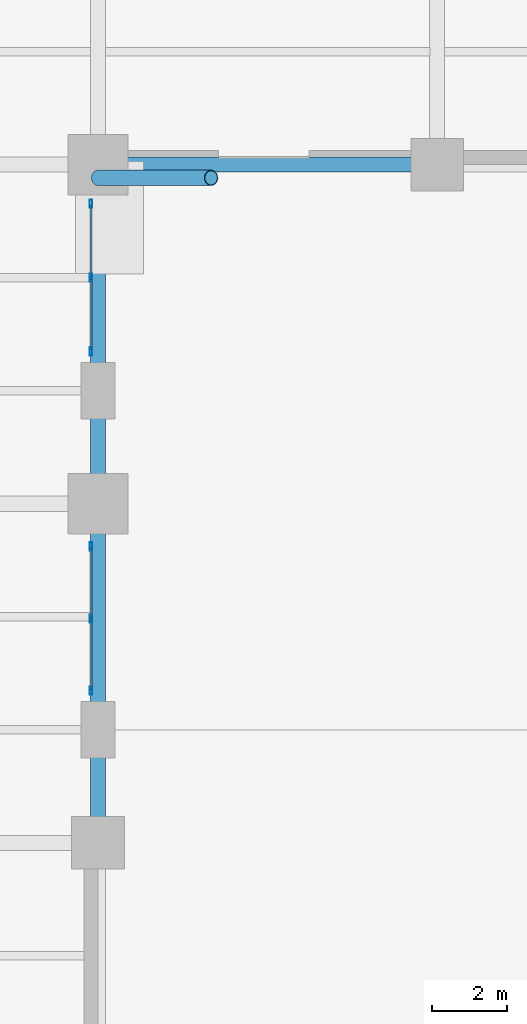
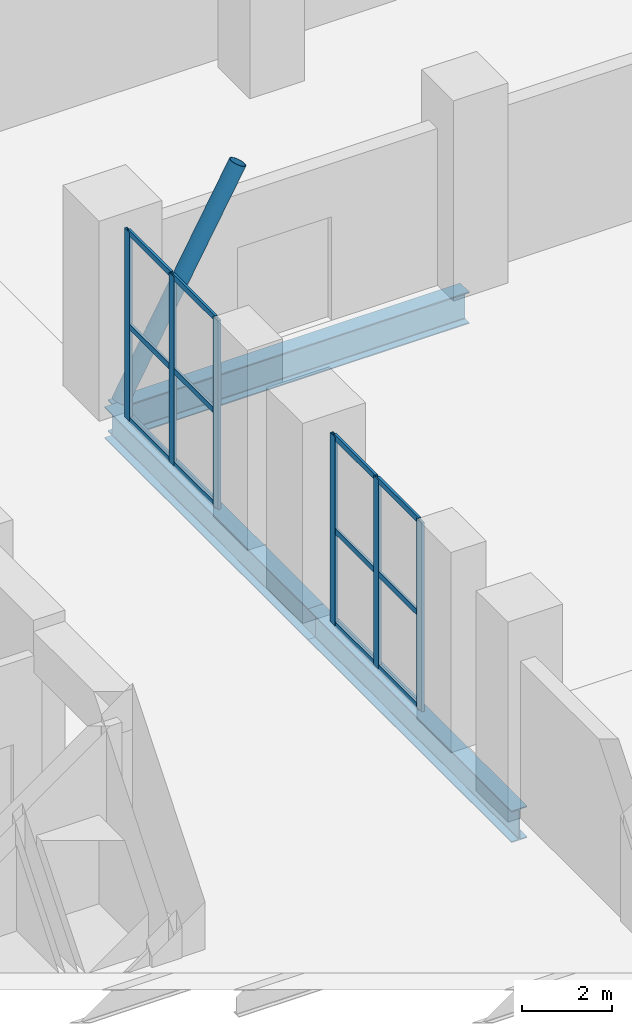
# One storey, part 2 of 17: 19 members, 3 beams, 2 elements without a shape of their own.
"""IFC4 building model written with IfcOpenShell, lengths in metres."""

import ifcopenshell
import ifcopenshell.guid

model = None  # the IFC model being written
_history = None  # IfcOwnerHistory: only IFC2X3 demands one
_inside = {}  # id of a spatial element -> (the spatial element, [elements in it])
_under = {}  # id of a project, library or spatial element -> (it, [spatial elements below it])
_declared = {}  # id of a project -> (the project, [libraries it declares])
_typed = {}  # id of a type object -> (the type object, [elements of that type])
_made_of = {}  # id of a material, layer set ... -> (it, [elements and type objects made of it])


def new_model(schema):
    """Start an empty IFC model of exactly this schema.

    Asked for "IFC4X3", IfcOpenShell would pick the latest addendum, in which some entities
    have other attributes; the version numbers below select the first issue.
    IFC2X3 requires an IfcOwnerHistory on every rooted entity: one is made here for all.
    """
    global model, _history
    if schema == "IFC4X3":
        model = ifcopenshell.file(schema_version=(4, 3, 0, 0))
    else:
        model = ifcopenshell.file(schema=schema)
    _inside.clear()
    _under.clear()
    _declared.clear()
    _typed.clear()
    _made_of.clear()
    _history = None
    if model.schema == "IFC2X3":
        org = make("IfcOrganization", Name="unknown")
        user = make(
            "IfcPersonAndOrganization",
            ThePerson=make("IfcPerson", FamilyName="unknown"),
            TheOrganization=org,
        )
        app = make(
            "IfcApplication",
            ApplicationDeveloper=org,
            Version="unknown",
            ApplicationFullName="unknown",
            ApplicationIdentifier="unknown",
        )
        _history = make(
            "IfcOwnerHistory",
            OwningUser=user,
            OwningApplication=app,
            ChangeAction="ADDED",
            CreationDate=0,
        )
    return model


def make(cls, **values):
    """One entity of the class cls with the attributes given. An attribute that is None is left unset."""
    return model.create_entity(
        cls, **{name: value for name, value in values.items() if value is not None}
    )


def rooted(cls, **values):
    """An entity with a GlobalId (a new one), such as an element, a storey or a relation."""
    return make(cls, GlobalId=ifcopenshell.guid.new(), OwnerHistory=_history, **values)


def si_unit(unit_type, name, prefix=None):
    """IfcSIUnit, for example si_unit("LENGTHUNIT", "METRE", prefix="MILLI")."""
    return make("IfcSIUnit", UnitType=unit_type, Prefix=prefix, Name=name)


def assignment(units):
    """IfcUnitAssignment: the units of a project."""
    return None if units is None else make("IfcUnitAssignment", Units=units)


def point(xyz):
    """IfcCartesianPoint."""
    return None if xyz is None else make("IfcCartesianPoint", Coordinates=xyz)


def direction(xyz):
    """IfcDirection."""
    return None if xyz is None else make("IfcDirection", DirectionRatios=xyz)


def frame(location, z_axis=None, x_axis=None):
    """IfcAxis2Placement3D, a coordinate frame: its origin and axes. An axis left out is left unset."""
    return make(
        "IfcAxis2Placement3D",
        Location=point(location),
        Axis=direction(z_axis),
        RefDirection=direction(x_axis),
    )


def frame_2d(location, x_axis=None):
    """IfcAxis2Placement2D, a coordinate frame in the plane: its origin and x axis."""
    return make(
        "IfcAxis2Placement2D", Location=point(location), RefDirection=direction(x_axis)
    )


def origin():
    """The frame at (0, 0, 0) with its axes left unset."""
    return frame((0.0, 0.0, 0.0))


def origin_2d():
    """The frame at (0, 0) in the plane with its x axis left unset."""
    return frame_2d((0.0, 0.0))


def place(relative_to, where):
    """IfcLocalPlacement: puts the frame where relative to a parent placement (None: the world)."""
    return make(
        "IfcLocalPlacement", PlacementRelTo=relative_to, RelativePlacement=where
    )


def context(
    kind, dimensions, precision=None, world=None, true_north=None, identifier=None
):
    """IfcGeometricRepresentationContext, for example the 3D "Model" context."""
    return make(
        "IfcGeometricRepresentationContext",
        ContextIdentifier=identifier,
        ContextType=kind,
        CoordinateSpaceDimension=dimensions,
        Precision=precision,
        WorldCoordinateSystem=world,
        TrueNorth=true_north,
    )


def subcontext(parent, identifier, kind, view, scale=None):
    """IfcGeometricRepresentationSubContext, for example "Body" below "Model"."""
    return make(
        "IfcGeometricRepresentationSubContext",
        ContextIdentifier=identifier,
        ContextType=kind,
        ParentContext=parent,
        TargetScale=scale,
        TargetView=view,
    )


def project(units=None, contexts=None):
    """IfcProject with its units and contexts."""
    return rooted(
        "IfcProject",
        Name="project",
        RepresentationContexts=contexts,
        UnitsInContext=assignment(units),
    )


def spatial(cls, under=None, at=None, **own):
    """A site, building, storey or space (cls), placed at a placement, below another one or the project."""
    s = rooted(cls, ObjectPlacement=at, **own)
    if under is not None:
        _under.setdefault(under.id(), (under, []))[1].append(s)
    return s


def profile(cls, at=None, kind="AREA", **sizes):
    """A parametric profile (cls). Its sizes go by their IFC names, for example OverallWidth=200.0."""
    return make(cls, ProfileType=kind, Position=at, **sizes)


def hollow_rectangle(**sizes):
    """IfcRectangleHollowProfileDef."""
    return profile("IfcRectangleHollowProfileDef", **sizes)


def hollow_circle(**sizes):
    """IfcCircleHollowProfileDef."""
    return profile("IfcCircleHollowProfileDef", **sizes)


def i_section(**sizes):
    """IfcIShapeProfileDef."""
    return profile("IfcIShapeProfileDef", **sizes)


def extrude(swept, where, along, depth):
    """IfcExtrudedAreaSolid: the profile swept, set in the frame where, extruded along a direction by depth."""
    return make(
        "IfcExtrudedAreaSolid",
        SweptArea=swept,
        Position=where,
        ExtrudedDirection=direction(along),
        Depth=depth,
    )


def shape(context_of_items, identifier, shape_type, items):
    """IfcShapeRepresentation: the items that make up one representation, for example the "Body"."""
    return make(
        "IfcShapeRepresentation",
        ContextOfItems=context_of_items,
        RepresentationIdentifier=identifier,
        RepresentationType=shape_type,
        Items=items,
    )


def material(Name=None, Category=None):
    """IfcMaterial."""
    return make("IfcMaterial", Name=Name, Category=Category)


def layer(
    of_material, thickness, ventilated=None, Name=None, Category=None, Priority=None
):
    """IfcMaterialLayer: one layer of a wall or slab, of a material (None: an air gap)."""
    return make(
        "IfcMaterialLayer",
        Material=of_material,
        LayerThickness=thickness,
        IsVentilated=ventilated,
        Name=Name,
        Category=Category,
        Priority=Priority,
    )


def layer_set(layers, Name=None):
    """IfcMaterialLayerSet."""
    return make("IfcMaterialLayerSet", MaterialLayers=layers, LayerSetName=Name)


def material_profile(
    of_material, cross_section, Name=None, Category=None, Priority=None
):
    """IfcMaterialProfile: a cross section and its material."""
    return make(
        "IfcMaterialProfile",
        Name=Name,
        Material=of_material,
        Profile=cross_section,
        Priority=Priority,
        Category=Category,
    )


def profile_set(profiles, Name=None, composite=None):
    """IfcMaterialProfileSet."""
    return make(
        "IfcMaterialProfileSet",
        Name=Name,
        MaterialProfiles=profiles,
        CompositeProfile=composite,
    )


def made_of(thing, what):
    """Note that an element or type object is made of a material, layer set ...; save() writes the relation."""
    if what is not None:
        _made_of.setdefault(what.id(), (what, []))[1].append(thing)
    return thing


def type_object(cls, material=None, **own):
    """A type object (cls), such as IfcWallType, which elements share."""
    return made_of(rooted(cls, **own), material)


def element(
    cls,
    number,
    at=None,
    inside=None,
    cuts=None,
    type_object=None,
    material=None,
    context=None,
    identifier="Body",
    shape_type=None,
    held_by="IfcProductDefinitionShape",
    body=None,
    shapes=None,
    **own,
):
    """One element of the class cls, such as IfcWall. Its Tag is "e" and its number.

    at: its placement. inside: the storey or other place that contains it. cuts: it is an
    opening in that element (IfcRelVoidsElement). A single representation is given by context,
    identifier, shape_type and body (its items); several are given by shapes. held_by: the class
    of the entity that holds the representations. save() writes the other relations.
    """
    e = rooted(cls, Tag="e%d" % number, ObjectPlacement=at, **own)
    if body is not None:
        shapes = [shape(context, identifier, shape_type, body)]
    if shapes is not None:
        e.Representation = make(held_by, Representations=shapes)
    if inside is not None:
        _inside.setdefault(inside.id(), (inside, []))[1].append(e)
    if cuts is not None:
        rooted(
            "IfcRelVoidsElement", RelatingBuildingElement=cuts, RelatedOpeningElement=e
        )
    if type_object is not None:
        _typed.setdefault(type_object.id(), (type_object, []))[1].append(e)
    return made_of(e, material)


def aggregate(whole, parts):
    """IfcRelAggregates: a whole, such as a stair, and the parts it consists of."""
    return rooted("IfcRelAggregates", RelatingObject=whole, RelatedObjects=parts)


def save(model, path):
    """Write the relations noted so far, then the file.

    IfcRelAggregates (storeys below a building ...), IfcRelContainedInSpatialStructure (elements
    in a storey), IfcRelDefinesByType, IfcRelAssociatesMaterial and IfcRelDeclares: one each for
    every whole, place, type object, material and project.
    """
    for whole, parts in _under.values():
        aggregate(whole, parts)
    for where, things in _inside.values():
        rooted(
            "IfcRelContainedInSpatialStructure",
            RelatedElements=things,
            RelatingStructure=where,
        )
    for kind, things in _typed.values():
        rooted("IfcRelDefinesByType", RelatedObjects=things, RelatingType=kind)
    for what, things in _made_of.values():
        rooted("IfcRelAssociatesMaterial", RelatedObjects=things, RelatingMaterial=what)
    for by, libraries in _declared.values():
        rooted("IfcRelDeclares", RelatingContext=by, RelatedDefinitions=libraries)
    model.write(path)


model = new_model("IFC4")

# Units and contexts
model_context = context("Model", 3, precision=1e-05, world=origin(), true_north=direction((0.0, 1.0)))
body_context = subcontext(model_context, "Body", "Model", "MODEL_VIEW")
ifc_project = project(units=[si_unit("LENGTHUNIT", "METRE"), si_unit("AREAUNIT", "SQUARE_METRE"), si_unit("VOLUMEUNIT", "CUBIC_METRE"), si_unit("PLANEANGLEUNIT", "RADIAN"), si_unit("MASSUNIT", "GRAM", prefix="KILO")], contexts=[model_context])

# Site, building, storey
site_placement = place(None, origin())
site = spatial("IfcSite", under=ifc_project, at=site_placement, CompositionType="ELEMENT")
building_placement = place(site_placement, origin())
building = spatial("IfcBuilding", under=site, at=building_placement, Name="Mawjdan Bourse Tower", CompositionType="ELEMENT")
storey_placement = place(building_placement, origin())
storey = spatial("IfcBuildingStorey", under=building, at=storey_placement, Name="L00", CompositionType="ELEMENT", Elevation=0.0)

# Member
ifc_material_1 = material(Name="Structural Steel S460", Category="steel")
ifc_material_profile_1 = material_profile(ifc_material_1, hollow_circle(Radius=0.203125, WallThickness=0.01611328125, at=origin_2d()), Name="CHS406X16")
ifc_profile_set_1 = profile_set([ifc_material_profile_1], Name="Structural Steel S460")
member_type_1 = type_object("IfcMemberType", Name="ARC-CHS406X16", PredefinedType="USERDEFINED", material=ifc_profile_set_1)
member_1_placement = place(storey_placement, frame((33.0, 29.64990234375, 0.0), z_axis=(0.485649642493, 0.0, 0.87415354758), x_axis=(0.0, 1.0, 0.0)))
element("IfcMember", 1, at=member_1_placement, inside=storey, type_object=member_type_1, Name="L00 Giant Arch Structural Rib NORTH 1", ObjectType="ARCH RIB", PredefinedType="USERDEFINED", context=body_context, shape_type="SweptSolid", body=[
    extrude(hollow_circle(Radius=0.203125, WallThickness=0.01611328125, at=origin_2d()), origin(), (0.0, 0.0, 1.0), 6.17724609375),
])

# Beams
ifc_material_2 = material(Name="Structural Steel S355", Category="steel")
ifc_material_profile_2 = material_profile(ifc_material_2, i_section(OverallWidth=0.39892578125, OverallDepth=0.85595703125, WebThickness=0.018310546875, FlangeThickness=0.029296875, FilletRadius=0.0234375, at=origin_2d()), Name="W33X201")
ifc_profile_set_2 = profile_set([ifc_material_profile_2], Name="Structural Steel S355")
beam_type = type_object("IfcBeamType", Name="GRD-W33X201", PredefinedType="BEAM", material=ifc_profile_set_2)
for number, where, z_axis, x_axis, name in (
    (2, (33.0, 12.0, -0.72802734375), (0.0, 1.0, 0.0), (-1.0, 0.0, 0.0), "L00 Podium Primary Girder 023"),
    (3, (33.0, 21.0, -0.72802734375), (0.0, 1.0, 0.0), (-1.0, 0.0, 0.0), "L00 Podium Primary Girder 024"),
    (4, (33.0, 30.0, -0.72802734375), (1.0, 0.0, 0.0), (0.0, 1.0, 0.0), "L00 Podium Tie Girder 060"),
):
    element("IfcBeam", number, at=place(storey_placement, frame(where, z_axis=z_axis, x_axis=x_axis)), inside=storey, type_object=beam_type, Name=name, PredefinedType="BEAM", context=body_context, shape_type="SweptSolid", body=[
        extrude(i_section(OverallWidth=0.39892578125, OverallDepth=0.85595703125, WebThickness=0.018310546875, FlangeThickness=0.029296875, FilletRadius=0.0234375, at=origin_2d()), origin(), (0.0, 0.0, 1.0), 9.0),
    ])

# Curtain wall, members
ifc_material_3 = material(Name="Thermally Broken Aluminium and Solar Glass", Category="aluminium")
ifc_layer = layer(ifc_material_3, 0.219970703125)
ifc_layer_set = layer_set([ifc_layer], Name="Thermally Broken Aluminium and Solar Glass")
curtain_wall_type = type_object("IfcCurtainWallType", Name="CW-ARCH", PredefinedType="USERDEFINED", material=ifc_layer_set)
curtain_wall_1_placement = place(storey_placement, origin())
curtain_wall_1 = element("IfcCurtainWall", 5, at=curtain_wall_1_placement, inside=storey, type_object=curtain_wall_type, Name="L00 Giant Arch West Glazed Wall South", ObjectType="ARCHWAY GLAZED CURTAIN WALL", PredefinedType="USERDEFINED")
ifc_material_4 = material(Name="Thermally Broken Anodised Aluminium", Category="aluminium")
ifc_material_profile_3 = material_profile(ifc_material_4, hollow_rectangle(XDim=0.074951171875, YDim=0.219970703125, WallThickness=0.0048828125, at=origin_2d()), Name="ALU-MUL-220X75")
ifc_profile_set_3 = profile_set([ifc_material_profile_3], Name="Thermally Broken Anodised Aluminium")
member_type_2 = type_object("IfcMemberType", Name="MUL-ALU-MUL-220X75", PredefinedType="MULLION", material=ifc_profile_set_3)
member_2_placement = place(storey_placement, frame((32.81005859375, 19.862548828125, 0.0), z_axis=(0.0, 0.0, 1.0), x_axis=(1.0, 0.0, 0.0)))
member_2 = element("IfcMember", 6, at=member_2_placement, type_object=member_type_2, Name="CW-ARCH-L00-ARCH-W1 mullion 1", PredefinedType="MULLION", context=body_context, shape_type="SweptSolid", body=[
    extrude(hollow_rectangle(XDim=0.074951171875, YDim=0.219970703125, WallThickness=0.0048828125, at=origin_2d()), origin(), (0.0, 0.0, 1.0), 5.10009765625),
])
member_3_placement = place(storey_placement, frame((32.81005859375, 17.949951171875, 0.0), z_axis=(0.0, 0.0, 1.0), x_axis=(1.0, 0.0, 0.0)))
member_3 = element("IfcMember", 7, at=member_3_placement, type_object=member_type_2, Name="CW-ARCH-L00-ARCH-W1 mullion 2", PredefinedType="MULLION", context=body_context, shape_type="SweptSolid", body=[
    extrude(hollow_rectangle(XDim=0.074951171875, YDim=0.219970703125, WallThickness=0.0048828125, at=origin_2d()), origin(), (0.0, 0.0, 1.0), 5.10009765625),
])
member_4_placement = place(storey_placement, frame((32.81005859375, 16.03759765625, 0.0), z_axis=(0.0, 0.0, 1.0), x_axis=(1.0, 0.0, 0.0)))
member_4 = element("IfcMember", 8, at=member_4_placement, type_object=member_type_2, Name="CW-ARCH-L00-ARCH-W1 mullion 3", PredefinedType="MULLION", context=body_context, shape_type="SweptSolid", body=[
    extrude(hollow_rectangle(XDim=0.074951171875, YDim=0.219970703125, WallThickness=0.0048828125, at=origin_2d()), origin(), (0.0, 0.0, 1.0), 5.10009765625),
])

curtain_wall_2_placement = place(storey_placement, origin())
curtain_wall_2 = element("IfcCurtainWall", 9, at=curtain_wall_2_placement, inside=storey, type_object=curtain_wall_type, Name="L00 Giant Arch West Glazed Wall North", ObjectType="ARCHWAY GLAZED CURTAIN WALL", PredefinedType="USERDEFINED")
member_5_placement = place(storey_placement, frame((32.81005859375, 28.96240234375, 0.0), z_axis=(0.0, 0.0, 1.0), x_axis=(1.0, 0.0, 0.0)))
member_5 = element("IfcMember", 10, at=member_5_placement, type_object=member_type_2, Name="CW-ARCH-L00-ARCH-W2 mullion 1", PredefinedType="MULLION", context=body_context, shape_type="SweptSolid", body=[
    extrude(hollow_rectangle(XDim=0.074951171875, YDim=0.219970703125, WallThickness=0.0048828125, at=origin_2d()), origin(), (0.0, 0.0, 1.0), 5.10009765625),
])
member_6_placement = place(storey_placement, frame((32.81005859375, 27.0, 0.0), z_axis=(0.0, 0.0, 1.0), x_axis=(1.0, 0.0, 0.0)))
member_6 = element("IfcMember", 11, at=member_6_placement, type_object=member_type_2, Name="CW-ARCH-L00-ARCH-W2 mullion 2", PredefinedType="MULLION", context=body_context, shape_type="SweptSolid", body=[
    extrude(hollow_rectangle(XDim=0.074951171875, YDim=0.219970703125, WallThickness=0.0048828125, at=origin_2d()), origin(), (0.0, 0.0, 1.0), 5.10009765625),
])
member_7_placement = place(storey_placement, frame((32.81005859375, 25.03759765625, 0.0), z_axis=(0.0, 0.0, 1.0), x_axis=(1.0, 0.0, 0.0)))
member_7 = element("IfcMember", 12, at=member_7_placement, type_object=member_type_2, Name="CW-ARCH-L00-ARCH-W2 mullion 3", PredefinedType="MULLION", context=body_context, shape_type="SweptSolid", body=[
    extrude(hollow_rectangle(XDim=0.074951171875, YDim=0.219970703125, WallThickness=0.0048828125, at=origin_2d()), origin(), (0.0, 0.0, 1.0), 5.10009765625),
])

# Member
ifc_material_profile_4 = material_profile(ifc_material_4, hollow_rectangle(XDim=0.06005859375, YDim=0.155029296875, WallThickness=0.00390625, at=origin_2d()), Name="ALU-TRN-155X60")
ifc_profile_set_4 = profile_set([ifc_material_profile_4], Name="Thermally Broken Anodised Aluminium")
member_type_3 = type_object("IfcMemberType", Name="TRN-ALU-TRN-155X60", PredefinedType="USERDEFINED", material=ifc_profile_set_4)
member_8_placement = place(storey_placement, frame((32.81005859375, 19.824951171875, 0.030029296875), z_axis=(0.0, -1.0, 0.0), x_axis=(1.0, 0.0, 0.0)))
member_8 = element("IfcMember", 13, at=member_8_placement, type_object=member_type_3, Name="CW-ARCH-L00-ARCH-W1 transom 1.1", ObjectType="TRANSOM", PredefinedType="USERDEFINED", context=body_context, shape_type="SweptSolid", body=[
    extrude(hollow_rectangle(XDim=0.06005859375, YDim=0.155029296875, WallThickness=0.00390625, at=origin_2d()), origin(), (0.0, 0.0, 1.0), 1.83740234375),
])

member_9_placement = place(storey_placement, frame((32.81005859375, 19.824951171875, 2.550048828125), z_axis=(0.0, -1.0, 0.0), x_axis=(1.0, 0.0, 0.0)))
member_9 = element("IfcMember", 14, at=member_9_placement, type_object=member_type_3, Name="CW-ARCH-L00-ARCH-W1 transom 1.2", ObjectType="TRANSOM", PredefinedType="USERDEFINED", context=body_context, shape_type="SweptSolid", body=[
    extrude(hollow_rectangle(XDim=0.06005859375, YDim=0.155029296875, WallThickness=0.00390625, at=origin_2d()), origin(), (0.0, 0.0, 1.0), 1.83740234375),
])

member_10_placement = place(storey_placement, frame((32.81005859375, 19.824951171875, 5.070068359375), z_axis=(0.0, -1.0, 0.0), x_axis=(1.0, 0.0, 0.0)))
member_10 = element("IfcMember", 15, at=member_10_placement, type_object=member_type_3, Name="CW-ARCH-L00-ARCH-W1 transom 1.3", ObjectType="TRANSOM", PredefinedType="USERDEFINED", context=body_context, shape_type="SweptSolid", body=[
    extrude(hollow_rectangle(XDim=0.06005859375, YDim=0.155029296875, WallThickness=0.00390625, at=origin_2d()), origin(), (0.0, 0.0, 1.0), 1.83740234375),
])

member_11_placement = place(storey_placement, frame((32.81005859375, 17.91259765625, 0.030029296875), z_axis=(0.0, -1.0, 0.0), x_axis=(1.0, 0.0, 0.0)))
member_11 = element("IfcMember", 16, at=member_11_placement, type_object=member_type_3, Name="CW-ARCH-L00-ARCH-W1 transom 2.1", ObjectType="TRANSOM", PredefinedType="USERDEFINED", context=body_context, shape_type="SweptSolid", body=[
    extrude(hollow_rectangle(XDim=0.06005859375, YDim=0.155029296875, WallThickness=0.00390625, at=origin_2d()), origin(), (0.0, 0.0, 1.0), 1.837646484375),
])

member_12_placement = place(storey_placement, frame((32.81005859375, 17.91259765625, 2.550048828125), z_axis=(0.0, -1.0, 0.0), x_axis=(1.0, 0.0, 0.0)))
member_12 = element("IfcMember", 17, at=member_12_placement, type_object=member_type_3, Name="CW-ARCH-L00-ARCH-W1 transom 2.2", ObjectType="TRANSOM", PredefinedType="USERDEFINED", context=body_context, shape_type="SweptSolid", body=[
    extrude(hollow_rectangle(XDim=0.06005859375, YDim=0.155029296875, WallThickness=0.00390625, at=origin_2d()), origin(), (0.0, 0.0, 1.0), 1.837646484375),
])

member_13_placement = place(storey_placement, frame((32.81005859375, 17.91259765625, 5.070068359375), z_axis=(0.0, -1.0, 0.0), x_axis=(1.0, 0.0, 0.0)))
member_13 = element("IfcMember", 18, at=member_13_placement, type_object=member_type_3, Name="CW-ARCH-L00-ARCH-W1 transom 2.3", ObjectType="TRANSOM", PredefinedType="USERDEFINED", context=body_context, shape_type="SweptSolid", body=[
    extrude(hollow_rectangle(XDim=0.06005859375, YDim=0.155029296875, WallThickness=0.00390625, at=origin_2d()), origin(), (0.0, 0.0, 1.0), 1.837646484375),
])

aggregate(curtain_wall_1, [member_2, member_3, member_4, member_8, member_9, member_10, member_11, member_12, member_13])

member_14_placement = place(storey_placement, frame((32.81005859375, 28.925048828125, 0.030029296875), z_axis=(0.0, -1.0, 0.0), x_axis=(1.0, 0.0, 0.0)))
member_14 = element("IfcMember", 19, at=member_14_placement, type_object=member_type_3, Name="CW-ARCH-L00-ARCH-W2 transom 1.1", ObjectType="TRANSOM", PredefinedType="USERDEFINED", context=body_context, shape_type="SweptSolid", body=[
    extrude(hollow_rectangle(XDim=0.06005859375, YDim=0.155029296875, WallThickness=0.00390625, at=origin_2d()), origin(), (0.0, 0.0, 1.0), 1.887451171875),
])

member_15_placement = place(storey_placement, frame((32.81005859375, 28.925048828125, 2.550048828125), z_axis=(0.0, -1.0, 0.0), x_axis=(1.0, 0.0, 0.0)))
member_15 = element("IfcMember", 20, at=member_15_placement, type_object=member_type_3, Name="CW-ARCH-L00-ARCH-W2 transom 1.2", ObjectType="TRANSOM", PredefinedType="USERDEFINED", context=body_context, shape_type="SweptSolid", body=[
    extrude(hollow_rectangle(XDim=0.06005859375, YDim=0.155029296875, WallThickness=0.00390625, at=origin_2d()), origin(), (0.0, 0.0, 1.0), 1.887451171875),
])

member_16_placement = place(storey_placement, frame((32.81005859375, 28.925048828125, 5.070068359375), z_axis=(0.0, -1.0, 0.0), x_axis=(1.0, 0.0, 0.0)))
member_16 = element("IfcMember", 21, at=member_16_placement, type_object=member_type_3, Name="CW-ARCH-L00-ARCH-W2 transom 1.3", ObjectType="TRANSOM", PredefinedType="USERDEFINED", context=body_context, shape_type="SweptSolid", body=[
    extrude(hollow_rectangle(XDim=0.06005859375, YDim=0.155029296875, WallThickness=0.00390625, at=origin_2d()), origin(), (0.0, 0.0, 1.0), 1.887451171875),
])

member_17_placement = place(storey_placement, frame((32.81005859375, 26.96240234375, 0.030029296875), z_axis=(0.0, -1.0, 0.0), x_axis=(1.0, 0.0, 0.0)))
member_17 = element("IfcMember", 22, at=member_17_placement, type_object=member_type_3, Name="CW-ARCH-L00-ARCH-W2 transom 2.1", ObjectType="TRANSOM", PredefinedType="USERDEFINED", context=body_context, shape_type="SweptSolid", body=[
    extrude(hollow_rectangle(XDim=0.06005859375, YDim=0.155029296875, WallThickness=0.00390625, at=origin_2d()), origin(), (0.0, 0.0, 1.0), 1.887451171875),
])

member_18_placement = place(storey_placement, frame((32.81005859375, 26.96240234375, 2.550048828125), z_axis=(0.0, -1.0, 0.0), x_axis=(1.0, 0.0, 0.0)))
member_18 = element("IfcMember", 23, at=member_18_placement, type_object=member_type_3, Name="CW-ARCH-L00-ARCH-W2 transom 2.2", ObjectType="TRANSOM", PredefinedType="USERDEFINED", context=body_context, shape_type="SweptSolid", body=[
    extrude(hollow_rectangle(XDim=0.06005859375, YDim=0.155029296875, WallThickness=0.00390625, at=origin_2d()), origin(), (0.0, 0.0, 1.0), 1.887451171875),
])

member_19_placement = place(storey_placement, frame((32.81005859375, 26.96240234375, 5.070068359375), z_axis=(0.0, -1.0, 0.0), x_axis=(1.0, 0.0, 0.0)))
member_19 = element("IfcMember", 24, at=member_19_placement, type_object=member_type_3, Name="CW-ARCH-L00-ARCH-W2 transom 2.3", ObjectType="TRANSOM", PredefinedType="USERDEFINED", context=body_context, shape_type="SweptSolid", body=[
    extrude(hollow_rectangle(XDim=0.06005859375, YDim=0.155029296875, WallThickness=0.00390625, at=origin_2d()), origin(), (0.0, 0.0, 1.0), 1.887451171875),
])

aggregate(curtain_wall_2, [member_5, member_6, member_7, member_14, member_15, member_16, member_17, member_18, member_19])

save(model, "model.ifc")
